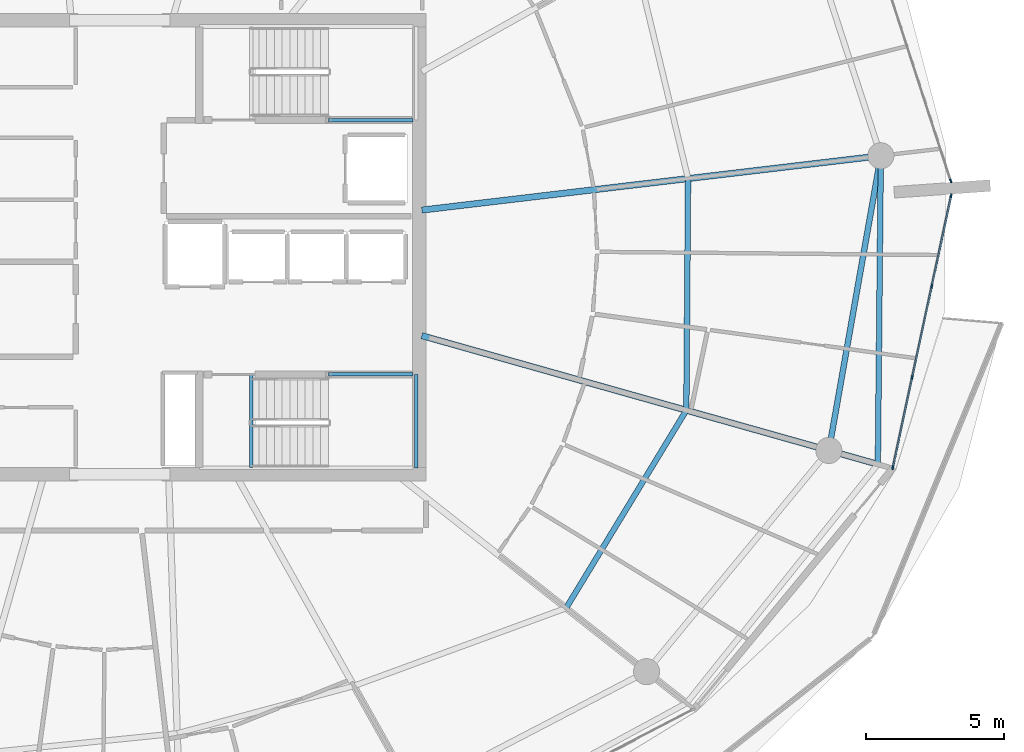
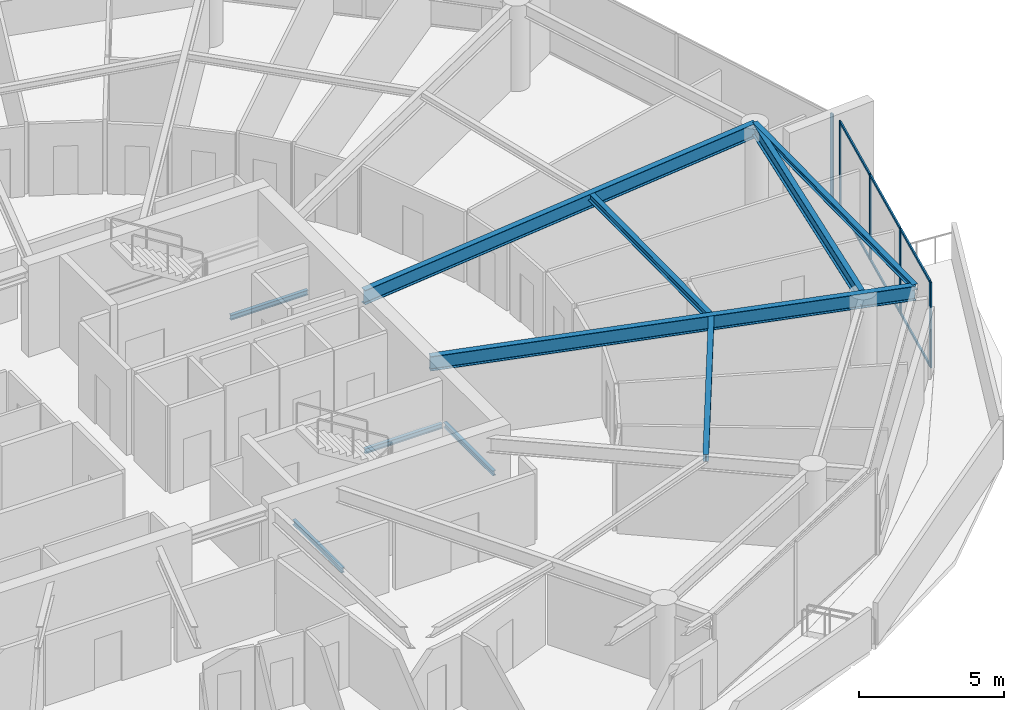
# One storey, part 10 of 29: 11 members, 10 beams, 2 elements without a shape of their own.
"""IFC4 building model written with IfcOpenShell, lengths in metres."""

from ifc_helpers import new_model, si_unit, direction, frame, origin, origin_2d, place, context, subcontext, project, spatial, rectangle, i_section, extrude, material, layer, layer_set, material_profile, profile_set, type_object, element, aggregate, save


model = new_model("IFC4")

# Units and contexts
model_context = context("Model", 3, precision=1e-05, world=origin(), true_north=direction((0.0, 1.0)))
body_context = subcontext(model_context, "Body", "Model", "MODEL_VIEW")
ifc_project = project(units=[si_unit("LENGTHUNIT", "METRE"), si_unit("AREAUNIT", "SQUARE_METRE"), si_unit("VOLUMEUNIT", "CUBIC_METRE"), si_unit("PLANEANGLEUNIT", "RADIAN"), si_unit("MASSUNIT", "GRAM", prefix="KILO")], contexts=[model_context])

# Site, building, storey
site_placement = place(None, origin())
site = spatial("IfcSite", under=ifc_project, at=site_placement, CompositionType="ELEMENT")
building_placement = place(site_placement, origin())
building = spatial("IfcBuilding", under=site, at=building_placement, Name="Kazma Halo Residences", CompositionType="ELEMENT")
storey_placement = place(building_placement, frame((0.0, 0.0, 282.89990234375)))
storey = spatial("IfcBuildingStorey", under=building, at=storey_placement, Name="L71", CompositionType="ELEMENT", Elevation=282.89990234375)

# Beams
ifc_material_1 = material(Name="Steel S355", Category="steel")
ifc_material_profile_1 = material_profile(ifc_material_1, i_section(OverallWidth=0.201904296875, OverallDepth=0.2470703125, WebThickness=0.00732421875, FlangeThickness=0.010986328125, FilletRadius=0.011962890625, at=origin_2d()), Name="W250x49.1")
ifc_profile_set_1 = profile_set([ifc_material_profile_1], Name="Steel S355")
beam_type_1 = type_object("IfcBeamType", Name="BM-BAL-CANT", PredefinedType="BEAM", material=ifc_profile_set_1)
beam_1_placement = place(storey_placement, frame((75.971435546875, 34.111083984375, 3.466552734375), z_axis=(0.009645503464, 0.999953481049, 0.0), x_axis=(-0.999953481049, 0.009645503464, 0.0)))
element("IfcBeam", 1, at=beam_1_placement, inside=storey, type_object=beam_type_1, Name="L71 wave-balcony tie beam 15", PredefinedType="BEAM", context=body_context, shape_type="SweptSolid", body=[
    extrude(i_section(OverallWidth=0.201904296875, OverallDepth=0.2470703125, WebThickness=0.00732421875, FlangeThickness=0.010986328125, FilletRadius=0.011962890625, at=origin_2d()), origin(), (0.0, 0.0, 1.0), 11.212890625),
])
ifc_material_profile_2 = material_profile(ifc_material_1, i_section(OverallWidth=0.22802734375, OverallDepth=0.60791015625, WebThickness=0.01123046875, FlangeThickness=0.017333984375, FilletRadius=0.01806640625, at=origin_2d()), Name="W610x113")
ifc_profile_set_2 = profile_set([ifc_material_profile_2], Name="Steel S355")
beam_type_2 = type_object("IfcBeamType", Name="BM-RAD-W610", PredefinedType="BEAM", material=ifc_profile_set_2)
beam_2_placement = place(storey_placement, frame((59.39990234375, 38.784912109375, 3.2861328125), z_axis=(0.962452620609, -0.271449724781, 0.0), x_axis=(0.271449724781, 0.962452620609, 0.0)))
element("IfcBeam", 2, at=beam_2_placement, inside=storey, type_object=beam_type_2, Name="L71 radial floor beam 15", PredefinedType="BEAM", context=body_context, shape_type="SweptSolid", body=[
    extrude(i_section(OverallWidth=0.22802734375, OverallDepth=0.60791015625, WebThickness=0.01123046875, FlangeThickness=0.017333984375, FilletRadius=0.01806640625, at=origin_2d()), origin(), (0.0, 0.0, 1.0), 17.218017578125),
])
beam_3_placement = place(storey_placement, frame((59.39990234375, 43.349365234375, 3.2861328125), z_axis=(0.993068804541, 0.117534460678, 0.0), x_axis=(-0.117534460678, 0.993068804541, 0.0)))
element("IfcBeam", 3, at=beam_3_placement, inside=storey, type_object=beam_type_2, Name="L71 radial floor beam 16", PredefinedType="BEAM", context=body_context, shape_type="SweptSolid", body=[
    extrude(i_section(OverallWidth=0.22802734375, OverallDepth=0.60791015625, WebThickness=0.01123046875, FlangeThickness=0.017333984375, FilletRadius=0.01806640625, at=origin_2d()), origin(), (0.0, 0.0, 1.0), 16.796142578125),
])
ifc_material_profile_3 = material_profile(ifc_material_1, i_section(OverallWidth=0.202880859375, OverallDepth=0.302978515625, WebThickness=0.007568359375, FlangeThickness=0.01318359375, FilletRadius=0.013916015625, at=origin_2d()), Name="W310x60")
ifc_profile_set_3 = profile_set([ifc_material_profile_3], Name="Steel S355")
beam_type_3 = type_object("IfcBeamType", Name="BM-SEC-W310A", PredefinedType="JOIST", material=ifc_profile_set_3)
beam_4_placement = place(storey_placement, frame((64.6396484375, 28.88232421875, 3.4384765625), z_axis=(0.519439801751, 0.854507046406, 0.0), x_axis=(-0.854507046406, 0.519439801751, 0.0)))
element("IfcBeam", 4, at=beam_4_placement, inside=storey, type_object=beam_type_3, Name="L71 circumferential floor joist 14", PredefinedType="JOIST", context=body_context, shape_type="SweptSolid", body=[
    extrude(i_section(OverallWidth=0.202880859375, OverallDepth=0.302978515625, WebThickness=0.007568359375, FlangeThickness=0.01318359375, FilletRadius=0.013916015625, at=origin_2d()), origin(), (0.0, 0.0, 1.0), 8.41650390625),
])
beam_5_placement = place(storey_placement, frame((69.011474609375, 36.07421875, 3.4384765625), z_axis=(0.007451444375, 0.999972237603, 0.0), x_axis=(-0.999972237603, 0.007451444375, 0.0)))
element("IfcBeam", 5, at=beam_5_placement, inside=storey, type_object=beam_type_3, Name="L71 circumferential floor joist 15", PredefinedType="JOIST", context=body_context, shape_type="SweptSolid", body=[
    extrude(i_section(OverallWidth=0.202880859375, OverallDepth=0.302978515625, WebThickness=0.007568359375, FlangeThickness=0.01318359375, FilletRadius=0.013916015625, at=origin_2d()), origin(), (0.0, 0.0, 1.0), 8.42041015625),
])
ifc_material_profile_4 = material_profile(ifc_material_1, i_section(OverallWidth=0.208984375, OverallDepth=0.532958984375, WebThickness=0.01025390625, FlangeThickness=0.015625, FilletRadius=0.01611328125, at=origin_2d()), Name="W530x92")
ifc_profile_set_4 = profile_set([ifc_material_profile_4], Name="Steel S355")
beam_type_4 = type_object("IfcBeamType", Name="BM-SPN-W530", PredefinedType="BEAM", material=ifc_profile_set_4)
beam_6_placement = place(storey_placement, frame((74.19091796875, 34.61328125, 3.323486328125), z_axis=(0.173663672311, 0.984805020763, 0.0), x_axis=(-0.984805020763, 0.173663672311, 0.0)))
element("IfcBeam", 6, at=beam_6_placement, inside=storey, type_object=beam_type_4, Name="L71 perimeter ring beam 15", PredefinedType="BEAM", context=body_context, shape_type="SweptSolid", body=[
    extrude(i_section(OverallWidth=0.208984375, OverallDepth=0.532958984375, WebThickness=0.01025390625, FlangeThickness=0.015625, FilletRadius=0.01611328125, at=origin_2d()), origin(), (0.0, 0.0, 1.0), 10.87548828125),
])
ifc_material_profile_5 = material_profile(ifc_material_1, i_section(OverallWidth=0.133056640625, OverallDepth=0.20703125, WebThickness=0.005859375, FlangeThickness=0.00830078125, FilletRadius=0.010009765625, at=origin_2d()), Name="W200x26.6")
ifc_profile_set_5 = profile_set([ifc_material_profile_5], Name="Steel S355")
beam_type_5 = type_object("IfcBeamType", Name="BM-TRIM-W200", PredefinedType="BEAM", material=ifc_profile_set_5)
beam_7_placement = place(storey_placement, frame((53.199951171875, 34.0, -0.369873046875), z_axis=(0.0, 1.0, 0.0), x_axis=(-1.0, 0.0, 0.0)))
element("IfcBeam", 7, at=beam_7_placement, inside=storey, type_object=beam_type_5, Name="L71 ST-03 floor landing support beam", PredefinedType="BEAM", context=body_context, shape_type="SweptSolid", body=[
    extrude(i_section(OverallWidth=0.133056640625, OverallDepth=0.20703125, WebThickness=0.005859375, FlangeThickness=0.00830078125, FilletRadius=0.010009765625, at=origin_2d()), origin(), (0.0, 0.0, 1.0), 3.3798828125),
])
for number, where, z_axis, x_axis, name in (
    (8, (56.0, 46.6201171875, 1.6201171875), (1.0, 0.0, 0.0), (0.0, 1.0, 0.0), "L71 ST-02 landing south wall ledger"),
    (9, (56.0, 37.3798828125, 1.6201171875), (1.0, 0.0, 0.0), (0.0, 1.0, 0.0), "L71 ST-03 landing north wall ledger"),
):
    element("IfcBeam", number, at=place(storey_placement, frame(where, z_axis=z_axis, x_axis=x_axis)), inside=storey, type_object=beam_type_5, Name=name, PredefinedType="BEAM", context=body_context, shape_type="SweptSolid", body=[
        extrude(i_section(OverallWidth=0.133056640625, OverallDepth=0.20703125, WebThickness=0.005859375, FlangeThickness=0.00830078125, FilletRadius=0.010009765625, at=origin_2d()), origin(), (0.0, 0.0, 1.0), 3.070068359375),
    ])
beam_8_placement = place(storey_placement, frame((59.18994140625, 33.97998046875, 1.6201171875), z_axis=(0.0, 1.0, 0.0), x_axis=(-1.0, 0.0, 0.0)))
element("IfcBeam", 10, at=beam_8_placement, inside=storey, type_object=beam_type_5, Name="L71 ST-03 landing end wall ledger", PredefinedType="BEAM", context=body_context, shape_type="SweptSolid", body=[
    extrude(i_section(OverallWidth=0.133056640625, OverallDepth=0.20703125, WebThickness=0.005859375, FlangeThickness=0.00830078125, FilletRadius=0.010009765625, at=origin_2d()), origin(), (0.0, 0.0, 1.0), 3.39990234375),
])

# Curtain wall, members
ifc_material_2 = material(Name="Aluminium AW-6063 T6 and Triple-Silver Low-E Glass", Category="aluminium")
ifc_layer = layer(ifc_material_2, 0.139892578125)
ifc_layer_set = layer_set([ifc_layer], Name="Aluminium AW-6063 T6 and Triple-Silver Low-E Glass")
curtain_wall_type = type_object("IfcCurtainWallType", Name="CW-SYS-5", PredefinedType="NOTDEFINED", material=ifc_layer_set)
curtain_wall_1_placement = place(storey_placement, origin())
curtain_wall_1 = element("IfcCurtainWall", 11, at=curtain_wall_1_placement, inside=storey, type_object=curtain_wall_type, Name="L71 unitised curtain wall B15", PredefinedType="NOTDEFINED")
ifc_material_3 = material(Name="Aluminium AW-6063 T6", Category="aluminium")
ifc_material_profile_6 = material_profile(ifc_material_3, rectangle(XDim=0.06005859375, YDim=0.139892578125, at=origin_2d()), Name="CWM-60x140")
ifc_profile_set_6 = profile_set([ifc_material_profile_6], Name="Aluminium AW-6063 T6")
member_type_1 = type_object("IfcMemberType", Name="CW-SYS-5-MUL", PredefinedType="MULLION", material=ifc_profile_set_6)
member_1_placement = place(storey_placement, frame((76.514892578125, 33.989013671875, 0.0), z_axis=(0.0, 0.0, 1.0), x_axis=(-0.97777491373, 0.209657382603, 0.0)))
member_1 = element("IfcMember", 12, at=member_1_placement, type_object=member_type_1, Name="CWS-5 mullion 1", PredefinedType="MULLION", context=body_context, shape_type="SweptSolid", body=[
    extrude(rectangle(XDim=0.06005859375, YDim=0.139892578125, at=origin_2d()), origin(), (0.0, 0.0, 1.0), 3.590087890625),
])
member_2_placement = place(storey_placement, frame((77.218994140625, 37.2734375, 0.0), z_axis=(0.0, 0.0, 1.0), x_axis=(-0.97777491373, 0.209657382603, 0.0)))
member_2 = element("IfcMember", 13, at=member_2_placement, type_object=member_type_1, Name="CWS-5 mullion 2", PredefinedType="MULLION", context=body_context, shape_type="SweptSolid", body=[
    extrude(rectangle(XDim=0.06005859375, YDim=0.139892578125, at=origin_2d()), origin(), (0.0, 0.0, 1.0), 3.590087890625),
])
member_3_placement = place(storey_placement, frame((77.9296875, 40.587158203125, 0.0), z_axis=(0.0, 0.0, 1.0), x_axis=(-0.97777491373, 0.209657382603, 0.0)))
member_3 = element("IfcMember", 14, at=member_3_placement, type_object=member_type_1, Name="CWS-5 mullion 3", PredefinedType="MULLION", context=body_context, shape_type="SweptSolid", body=[
    extrude(rectangle(XDim=0.06005859375, YDim=0.139892578125, at=origin_2d()), origin(), (0.0, 0.0, 1.0), 3.590087890625),
])
member_4_placement = place(storey_placement, frame((78.6337890625, 43.87158203125, 0.0), z_axis=(0.0, 0.0, 1.0), x_axis=(-0.97777491373, 0.209657382603, 0.0)))
member_4 = element("IfcMember", 15, at=member_4_placement, type_object=member_type_1, Name="CWS-5 mullion 4", PredefinedType="MULLION", context=body_context, shape_type="SweptSolid", body=[
    extrude(rectangle(XDim=0.06005859375, YDim=0.139892578125, at=origin_2d()), origin(), (0.0, 0.0, 1.0), 3.590087890625),
])

# Curtain wall, member
curtain_wall_2_placement = place(storey_placement, origin())
curtain_wall_2 = element("IfcCurtainWall", 16, at=curtain_wall_2_placement, inside=storey, type_object=curtain_wall_type, Name="L71 unitised curtain wall B16", PredefinedType="NOTDEFINED")
member_5_placement = place(storey_placement, frame((78.622802734375, 44.412353515625, 0.0), z_axis=(0.0, 0.0, 1.0), x_axis=(-0.951058464359, -0.309010998786, 0.0)))
member_5 = element("IfcMember", 17, at=member_5_placement, type_object=member_type_1, Name="CWS-5 mullion 1", PredefinedType="MULLION", context=body_context, shape_type="SweptSolid", body=[
    extrude(rectangle(XDim=0.06005859375, YDim=0.139892578125, at=origin_2d()), origin(), (0.0, 0.0, 1.0), 3.590087890625),
])
aggregate(curtain_wall_2, [member_5])

# Member
ifc_material_profile_7 = material_profile(ifc_material_3, rectangle(XDim=0.06005859375, YDim=0.10498046875, at=origin_2d()), Name="CWT-60x105")
ifc_profile_set_7 = profile_set([ifc_material_profile_7], Name="Aluminium AW-6063 T6")
member_type_2 = type_object("IfcMemberType", Name="CW-SYS-5-TRN", PredefinedType="USERDEFINED", material=ifc_profile_set_7)
member_6_placement = place(storey_placement, frame((76.52099609375, 34.0185546875, 0.030029296875), z_axis=(0.209660493552, 0.977774246666, 0.0), x_axis=(-0.977774246666, 0.209660493552, 0.0)))
member_6 = element("IfcMember", 18, at=member_6_placement, type_object=member_type_2, Name="CWS-5 transom 1.1", ObjectType="TRANSOM", PredefinedType="USERDEFINED", context=body_context, shape_type="SweptSolid", body=[
    extrude(rectangle(XDim=0.06005859375, YDim=0.10498046875, at=origin_2d()), origin(), (0.0, 0.0, 1.0), 3.298828125),
])

member_7_placement = place(storey_placement, frame((76.52099609375, 34.0185546875, 3.56005859375), z_axis=(0.209660493552, 0.977774246666, 0.0), x_axis=(-0.977774246666, 0.209660493552, 0.0)))
member_7 = element("IfcMember", 19, at=member_7_placement, type_object=member_type_2, Name="CWS-5 transom 1.2", ObjectType="TRANSOM", PredefinedType="USERDEFINED", context=body_context, shape_type="SweptSolid", body=[
    extrude(rectangle(XDim=0.06005859375, YDim=0.10498046875, at=origin_2d()), origin(), (0.0, 0.0, 1.0), 3.298828125),
])

member_8_placement = place(storey_placement, frame((77.225341796875, 37.302734375, 0.030029296875), z_axis=(0.209664309019, 0.977773428522, 0.0), x_axis=(-0.977773428522, 0.209664309019, 0.0)))
member_8 = element("IfcMember", 20, at=member_8_placement, type_object=member_type_2, Name="CWS-5 transom 2.1", ObjectType="TRANSOM", PredefinedType="USERDEFINED", context=body_context, shape_type="SweptSolid", body=[
    extrude(rectangle(XDim=0.06005859375, YDim=0.10498046875, at=origin_2d()), origin(), (0.0, 0.0, 1.0), 3.3291015625),
])

member_9_placement = place(storey_placement, frame((77.225341796875, 37.302734375, 3.56005859375), z_axis=(0.209664309019, 0.977773428522, 0.0), x_axis=(-0.977773428522, 0.209664309019, 0.0)))
member_9 = element("IfcMember", 21, at=member_9_placement, type_object=member_type_2, Name="CWS-5 transom 2.2", ObjectType="TRANSOM", PredefinedType="USERDEFINED", context=body_context, shape_type="SweptSolid", body=[
    extrude(rectangle(XDim=0.06005859375, YDim=0.10498046875, at=origin_2d()), origin(), (0.0, 0.0, 1.0), 3.3291015625),
])

member_10_placement = place(storey_placement, frame((77.935791015625, 40.616455078125, 0.030029296875), z_axis=(0.209645323239, 0.977777499457, 0.0), x_axis=(-0.977777499457, 0.209645323239, 0.0)))
member_10 = element("IfcMember", 22, at=member_10_placement, type_object=member_type_2, Name="CWS-5 transom 3.1", ObjectType="TRANSOM", PredefinedType="USERDEFINED", context=body_context, shape_type="SweptSolid", body=[
    extrude(rectangle(XDim=0.06005859375, YDim=0.10498046875, at=origin_2d()), origin(), (0.0, 0.0, 1.0), 3.299072265625),
])

member_11_placement = place(storey_placement, frame((77.935791015625, 40.616455078125, 3.56005859375), z_axis=(0.209645323239, 0.977777499457, 0.0), x_axis=(-0.977777499457, 0.209645323239, 0.0)))
member_11 = element("IfcMember", 23, at=member_11_placement, type_object=member_type_2, Name="CWS-5 transom 3.2", ObjectType="TRANSOM", PredefinedType="USERDEFINED", context=body_context, shape_type="SweptSolid", body=[
    extrude(rectangle(XDim=0.06005859375, YDim=0.10498046875, at=origin_2d()), origin(), (0.0, 0.0, 1.0), 3.299072265625),
])

aggregate(curtain_wall_1, [member_1, member_2, member_3, member_4, member_6, member_7, member_8, member_9, member_10, member_11])

save(model, "model.ifc")
